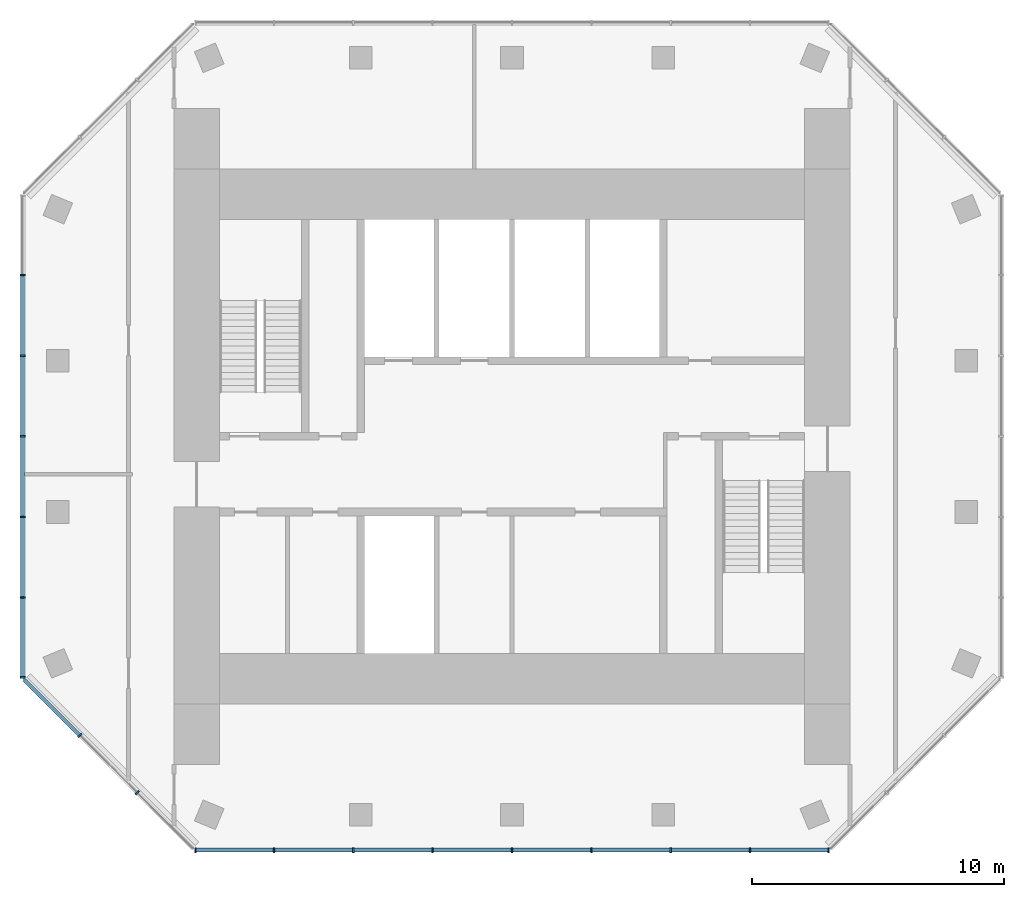
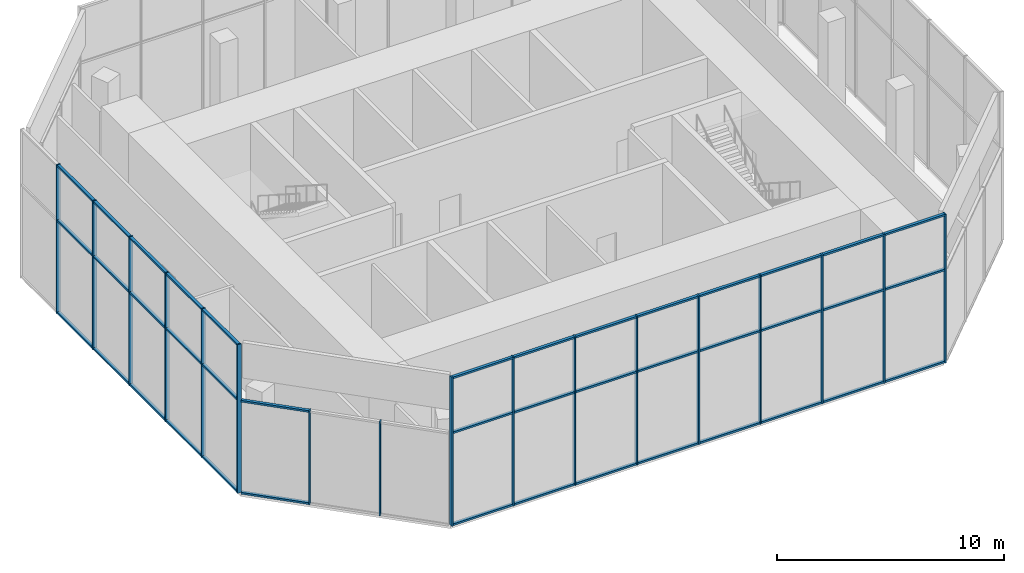
# One storey, part 2 of 9: 58 members, 3 elements without a shape of their own.
"""IFC4 building model written with IfcOpenShell, lengths in metres."""

from ifc_helpers import new_model, si_unit, direction, frame, origin, origin_2d, place, context, subcontext, project, spatial, rectangle, extrude, material, layer, layer_set, material_profile, profile_set, type_object, element, aggregate, save


model = new_model("IFC4")

# Units and contexts
model_context = context("Model", 3, precision=1e-05, world=origin(), true_north=direction((0.0, 1.0)))
body_context = subcontext(model_context, "Body", "Model", "MODEL_VIEW")
ifc_project = project(units=[si_unit("LENGTHUNIT", "METRE"), si_unit("AREAUNIT", "SQUARE_METRE"), si_unit("VOLUMEUNIT", "CUBIC_METRE"), si_unit("PLANEANGLEUNIT", "RADIAN"), si_unit("MASSUNIT", "GRAM", prefix="KILO")], contexts=[model_context])

# Site, building, storey
site_placement = place(None, origin())
site = spatial("IfcSite", under=ifc_project, at=site_placement, CompositionType="ELEMENT")
building_placement = place(site_placement, origin())
building = spatial("IfcBuilding", under=site, at=building_placement, Name="Highveld Stack Headquarters", CompositionType="ELEMENT")
storey_placement = place(building_placement, frame((0.0, 0.0, 300.699951171875)))
storey = spatial("IfcBuildingStorey", under=building, at=storey_placement, Name="L74", CompositionType="ELEMENT", Elevation=300.699951171875)

# Curtain wall, members
ifc_material_1 = material(Name="Aluminium bronze anodised", Category="aluminium")
ifc_layer = layer(ifc_material_1, 0.199951171875)
ifc_layer_set = layer_set([ifc_layer], Name="Aluminium bronze anodised")
curtain_wall_type = type_object("IfcCurtainWallType", Name="CW4 LANTERN CURTAIN WALL", PredefinedType="NOTDEFINED", material=ifc_layer_set)
curtain_wall_1_placement = place(storey_placement, origin())
curtain_wall_1 = element("IfcCurtainWall", 1, at=curtain_wall_1_placement, inside=storey, type_object=curtain_wall_type, Name="Curtain wall CW4 L74 S", PredefinedType="NOTDEFINED")
ifc_material_2 = material(Name="Aluminium bronze anodised", Category="aluminium")
ifc_material_profile_1 = material_profile(ifc_material_2, rectangle(XDim=0.199951171875, YDim=0.06494140625, at=origin_2d()), Name="CW4 MULLION 65x200")
ifc_profile_set_1 = profile_set([ifc_material_profile_1], Name="Aluminium bronze anodised")
member_type_1 = type_object("IfcMemberType", Name="CW4 MULLION 65x200", PredefinedType="MULLION", material=ifc_profile_set_1)
member_1_placement = place(storey_placement, frame((-6.54736328125, -13.39990234375, 0.0), z_axis=(0.0, 0.0, 1.0), x_axis=(0.0, 1.0, 0.0)))
member_1 = element("IfcMember", 2, at=member_1_placement, type_object=member_type_1, Name="CW4 mullion L74 1", PredefinedType="MULLION", context=body_context, shape_type="SweptSolid", body=[
    extrude(rectangle(XDim=0.199951171875, YDim=0.06494140625, at=origin_2d()), origin(), (0.0, 0.0, 1.0), 8.0),
])
member_2_placement = place(storey_placement, frame((-3.434814453125, -13.39990234375, 0.0), z_axis=(0.0, 0.0, 1.0), x_axis=(0.0, 1.0, 0.0)))
member_2 = element("IfcMember", 3, at=member_2_placement, type_object=member_type_1, Name="CW4 mullion L74 2", PredefinedType="MULLION", context=body_context, shape_type="SweptSolid", body=[
    extrude(rectangle(XDim=0.199951171875, YDim=0.06494140625, at=origin_2d()), origin(), (0.0, 0.0, 1.0), 8.0),
])
member_3_placement = place(storey_placement, frame((-0.2900390625, -13.39990234375, 0.0), z_axis=(0.0, 0.0, 1.0), x_axis=(0.0, 1.0, 0.0)))
member_3 = element("IfcMember", 4, at=member_3_placement, type_object=member_type_1, Name="CW4 mullion L74 3", PredefinedType="MULLION", context=body_context, shape_type="SweptSolid", body=[
    extrude(rectangle(XDim=0.199951171875, YDim=0.06494140625, at=origin_2d()), origin(), (0.0, 0.0, 1.0), 8.0),
])
member_4_placement = place(storey_placement, frame((2.85498046875, -13.39990234375, 0.0), z_axis=(0.0, 0.0, 1.0), x_axis=(0.0, 1.0, 0.0)))
member_4 = element("IfcMember", 5, at=member_4_placement, type_object=member_type_1, Name="CW4 mullion L74 4", PredefinedType="MULLION", context=body_context, shape_type="SweptSolid", body=[
    extrude(rectangle(XDim=0.199951171875, YDim=0.06494140625, at=origin_2d()), origin(), (0.0, 0.0, 1.0), 8.0),
])
member_5_placement = place(storey_placement, frame((6.0, -13.39990234375, 0.0), z_axis=(0.0, 0.0, 1.0), x_axis=(0.0, 1.0, 0.0)))
member_5 = element("IfcMember", 6, at=member_5_placement, type_object=member_type_1, Name="CW4 mullion L74 5", PredefinedType="MULLION", context=body_context, shape_type="SweptSolid", body=[
    extrude(rectangle(XDim=0.199951171875, YDim=0.06494140625, at=origin_2d()), origin(), (0.0, 0.0, 1.0), 8.0),
])
member_6_placement = place(storey_placement, frame((9.14501953125, -13.39990234375, 0.0), z_axis=(0.0, 0.0, 1.0), x_axis=(0.0, 1.0, 0.0)))
member_6 = element("IfcMember", 7, at=member_6_placement, type_object=member_type_1, Name="CW4 mullion L74 6", PredefinedType="MULLION", context=body_context, shape_type="SweptSolid", body=[
    extrude(rectangle(XDim=0.199951171875, YDim=0.06494140625, at=origin_2d()), origin(), (0.0, 0.0, 1.0), 8.0),
])
member_7_placement = place(storey_placement, frame((12.289794921875, -13.39990234375, 0.0), z_axis=(0.0, 0.0, 1.0), x_axis=(0.0, 1.0, 0.0)))
member_7 = element("IfcMember", 8, at=member_7_placement, type_object=member_type_1, Name="CW4 mullion L74 7", PredefinedType="MULLION", context=body_context, shape_type="SweptSolid", body=[
    extrude(rectangle(XDim=0.199951171875, YDim=0.06494140625, at=origin_2d()), origin(), (0.0, 0.0, 1.0), 8.0),
])
member_8_placement = place(storey_placement, frame((15.434814453125, -13.39990234375, 0.0), z_axis=(0.0, 0.0, 1.0), x_axis=(0.0, 1.0, 0.0)))
member_8 = element("IfcMember", 9, at=member_8_placement, type_object=member_type_1, Name="CW4 mullion L74 8", PredefinedType="MULLION", context=body_context, shape_type="SweptSolid", body=[
    extrude(rectangle(XDim=0.199951171875, YDim=0.06494140625, at=origin_2d()), origin(), (0.0, 0.0, 1.0), 8.0),
])
member_9_placement = place(storey_placement, frame((18.54736328125, -13.39990234375, 0.0), z_axis=(0.0, 0.0, 1.0), x_axis=(0.0, 1.0, 0.0)))
member_9 = element("IfcMember", 10, at=member_9_placement, type_object=member_type_1, Name="CW4 mullion L74 9", PredefinedType="MULLION", context=body_context, shape_type="SweptSolid", body=[
    extrude(rectangle(XDim=0.199951171875, YDim=0.06494140625, at=origin_2d()), origin(), (0.0, 0.0, 1.0), 8.0),
])

curtain_wall_2_placement = place(storey_placement, origin())
curtain_wall_2 = element("IfcCurtainWall", 11, at=curtain_wall_2_placement, inside=storey, type_object=curtain_wall_type, Name="Curtain wall CW4 L74 W", PredefinedType="NOTDEFINED")
member_10_placement = place(storey_placement, frame((-13.39990234375, 9.38671875, 0.0), z_axis=(0.0, 0.0, 1.0), x_axis=(1.0, 0.0, 0.0)))
member_10 = element("IfcMember", 12, at=member_10_placement, type_object=member_type_1, Name="CW4 mullion L74 2", PredefinedType="MULLION", context=body_context, shape_type="SweptSolid", body=[
    extrude(rectangle(XDim=0.199951171875, YDim=0.06494140625, at=origin_2d()), origin(), (0.0, 0.0, 1.0), 8.0),
])
member_11_placement = place(storey_placement, frame((-13.39990234375, 6.193359375, 0.0), z_axis=(0.0, 0.0, 1.0), x_axis=(1.0, 0.0, 0.0)))
member_11 = element("IfcMember", 13, at=member_11_placement, type_object=member_type_1, Name="CW4 mullion L74 3", PredefinedType="MULLION", context=body_context, shape_type="SweptSolid", body=[
    extrude(rectangle(XDim=0.199951171875, YDim=0.06494140625, at=origin_2d()), origin(), (0.0, 0.0, 1.0), 8.0),
])
member_12_placement = place(storey_placement, frame((-13.39990234375, 3.0, 0.0), z_axis=(0.0, 0.0, 1.0), x_axis=(1.0, 0.0, 0.0)))
member_12 = element("IfcMember", 14, at=member_12_placement, type_object=member_type_1, Name="CW4 mullion L74 4", PredefinedType="MULLION", context=body_context, shape_type="SweptSolid", body=[
    extrude(rectangle(XDim=0.199951171875, YDim=0.06494140625, at=origin_2d()), origin(), (0.0, 0.0, 1.0), 8.0),
])
member_13_placement = place(storey_placement, frame((-13.39990234375, -0.193359375, 0.0), z_axis=(0.0, 0.0, 1.0), x_axis=(1.0, 0.0, 0.0)))
member_13 = element("IfcMember", 15, at=member_13_placement, type_object=member_type_1, Name="CW4 mullion L74 5", PredefinedType="MULLION", context=body_context, shape_type="SweptSolid", body=[
    extrude(rectangle(XDim=0.199951171875, YDim=0.06494140625, at=origin_2d()), origin(), (0.0, 0.0, 1.0), 8.0),
])
member_14_placement = place(storey_placement, frame((-13.39990234375, -3.38671875, 0.0), z_axis=(0.0, 0.0, 1.0), x_axis=(1.0, 0.0, 0.0)))
member_14 = element("IfcMember", 16, at=member_14_placement, type_object=member_type_1, Name="CW4 mullion L74 6", PredefinedType="MULLION", context=body_context, shape_type="SweptSolid", body=[
    extrude(rectangle(XDim=0.199951171875, YDim=0.06494140625, at=origin_2d()), origin(), (0.0, 0.0, 1.0), 8.0),
])
member_15_placement = place(storey_placement, frame((-13.39990234375, -6.54736328125, 0.0), z_axis=(0.0, 0.0, 1.0), x_axis=(1.0, 0.0, 0.0)))
member_15 = element("IfcMember", 17, at=member_15_placement, type_object=member_type_1, Name="CW4 mullion L74 7", PredefinedType="MULLION", context=body_context, shape_type="SweptSolid", body=[
    extrude(rectangle(XDim=0.199951171875, YDim=0.06494140625, at=origin_2d()), origin(), (0.0, 0.0, 1.0), 8.0),
])

curtain_wall_3_placement = place(storey_placement, origin())
curtain_wall_3 = element("IfcCurtainWall", 18, at=curtain_wall_3_placement, inside=storey, type_object=curtain_wall_type, Name="Curtain wall CW4 L74 SW", PredefinedType="NOTDEFINED")
member_16_placement = place(storey_placement, frame((-11.126708984375, -8.853271484375, 0.0), z_axis=(0.0, 0.0, 1.0), x_axis=(0.707106781187, 0.707106781187, 0.0)))
member_16 = element("IfcMember", 19, at=member_16_placement, type_object=member_type_1, Name="CW4 mullion L74 1", PredefinedType="MULLION", context=body_context, shape_type="SweptSolid", body=[
    extrude(rectangle(XDim=0.199951171875, YDim=0.06494140625, at=origin_2d()), origin(), (0.0, 0.0, 1.0), 5.050048828125),
])
member_17_placement = place(storey_placement, frame((-8.853271484375, -11.126708984375, 0.0), z_axis=(0.0, 0.0, 1.0), x_axis=(0.707106781187, 0.707106781187, 0.0)))
member_17 = element("IfcMember", 20, at=member_17_placement, type_object=member_type_1, Name="CW4 mullion L74 2", PredefinedType="MULLION", context=body_context, shape_type="SweptSolid", body=[
    extrude(rectangle(XDim=0.199951171875, YDim=0.06494140625, at=origin_2d()), origin(), (0.0, 0.0, 1.0), 5.050048828125),
])

# Member
ifc_material_3 = material(Name="Aluminium bronze anodised", Category="aluminium")
ifc_material_profile_2 = material_profile(ifc_material_3, rectangle(XDim=0.14990234375, YDim=0.10009765625, at=origin_2d()), Name="CW4 TRANSOM 150x100")
ifc_profile_set_2 = profile_set([ifc_material_profile_2], Name="Aluminium bronze anodised")
member_type_2 = type_object("IfcMemberType", Name="CW4 STACK TRANSOM 150x100", PredefinedType="USERDEFINED", material=ifc_profile_set_2)
member_18_placement = place(storey_placement, frame((-6.514892578125, -13.39990234375, 0.050048828125), z_axis=(1.0, 0.0, 0.0), x_axis=(0.0, 1.0, 0.0)))
member_18 = element("IfcMember", 21, at=member_18_placement, type_object=member_type_2, Name="CW4 transom L74 1.1", ObjectType="TRANSOM", PredefinedType="USERDEFINED", context=body_context, shape_type="SweptSolid", body=[
    extrude(rectangle(XDim=0.14990234375, YDim=0.10009765625, at=origin_2d()), origin(), (0.0, 0.0, 1.0), 3.047607421875),
])

member_19_placement = place(storey_placement, frame((-6.514892578125, -13.39990234375, 5.0), z_axis=(1.0, 0.0, 0.0), x_axis=(0.0, 1.0, 0.0)))
member_19 = element("IfcMember", 22, at=member_19_placement, type_object=member_type_2, Name="CW4 transom L74 1.2", ObjectType="TRANSOM", PredefinedType="USERDEFINED", context=body_context, shape_type="SweptSolid", body=[
    extrude(rectangle(XDim=0.14990234375, YDim=0.10009765625, at=origin_2d()), origin(), (0.0, 0.0, 1.0), 3.047607421875),
])

member_20_placement = place(storey_placement, frame((-6.514892578125, -13.39990234375, 7.949951171875), z_axis=(1.0, 0.0, 0.0), x_axis=(0.0, 1.0, 0.0)))
member_20 = element("IfcMember", 23, at=member_20_placement, type_object=member_type_2, Name="CW4 transom L74 1.3", ObjectType="TRANSOM", PredefinedType="USERDEFINED", context=body_context, shape_type="SweptSolid", body=[
    extrude(rectangle(XDim=0.14990234375, YDim=0.10009765625, at=origin_2d()), origin(), (0.0, 0.0, 1.0), 3.047607421875),
])

member_21_placement = place(storey_placement, frame((-3.40234375, -13.39990234375, 0.050048828125), z_axis=(1.0, 0.0, 0.0), x_axis=(0.0, 1.0, 0.0)))
member_21 = element("IfcMember", 24, at=member_21_placement, type_object=member_type_2, Name="CW4 transom L74 2.1", ObjectType="TRANSOM", PredefinedType="USERDEFINED", context=body_context, shape_type="SweptSolid", body=[
    extrude(rectangle(XDim=0.14990234375, YDim=0.10009765625, at=origin_2d()), origin(), (0.0, 0.0, 1.0), 3.079833984375),
])

member_22_placement = place(storey_placement, frame((-3.40234375, -13.39990234375, 5.0), z_axis=(1.0, 0.0, 0.0), x_axis=(0.0, 1.0, 0.0)))
member_22 = element("IfcMember", 25, at=member_22_placement, type_object=member_type_2, Name="CW4 transom L74 2.2", ObjectType="TRANSOM", PredefinedType="USERDEFINED", context=body_context, shape_type="SweptSolid", body=[
    extrude(rectangle(XDim=0.14990234375, YDim=0.10009765625, at=origin_2d()), origin(), (0.0, 0.0, 1.0), 3.079833984375),
])

member_23_placement = place(storey_placement, frame((-3.40234375, -13.39990234375, 7.949951171875), z_axis=(1.0, 0.0, 0.0), x_axis=(0.0, 1.0, 0.0)))
member_23 = element("IfcMember", 26, at=member_23_placement, type_object=member_type_2, Name="CW4 transom L74 2.3", ObjectType="TRANSOM", PredefinedType="USERDEFINED", context=body_context, shape_type="SweptSolid", body=[
    extrude(rectangle(XDim=0.14990234375, YDim=0.10009765625, at=origin_2d()), origin(), (0.0, 0.0, 1.0), 3.079833984375),
])

member_24_placement = place(storey_placement, frame((-0.257568359375, -13.39990234375, 0.050048828125), z_axis=(1.0, 0.0, 0.0), x_axis=(0.0, 1.0, 0.0)))
member_24 = element("IfcMember", 27, at=member_24_placement, type_object=member_type_2, Name="CW4 transom L74 3.1", ObjectType="TRANSOM", PredefinedType="USERDEFINED", context=body_context, shape_type="SweptSolid", body=[
    extrude(rectangle(XDim=0.14990234375, YDim=0.10009765625, at=origin_2d()), origin(), (0.0, 0.0, 1.0), 3.080078125),
])

member_25_placement = place(storey_placement, frame((-0.257568359375, -13.39990234375, 5.0), z_axis=(1.0, 0.0, 0.0), x_axis=(0.0, 1.0, 0.0)))
member_25 = element("IfcMember", 28, at=member_25_placement, type_object=member_type_2, Name="CW4 transom L74 3.2", ObjectType="TRANSOM", PredefinedType="USERDEFINED", context=body_context, shape_type="SweptSolid", body=[
    extrude(rectangle(XDim=0.14990234375, YDim=0.10009765625, at=origin_2d()), origin(), (0.0, 0.0, 1.0), 3.080078125),
])

member_26_placement = place(storey_placement, frame((-0.257568359375, -13.39990234375, 7.949951171875), z_axis=(1.0, 0.0, 0.0), x_axis=(0.0, 1.0, 0.0)))
member_26 = element("IfcMember", 29, at=member_26_placement, type_object=member_type_2, Name="CW4 transom L74 3.3", ObjectType="TRANSOM", PredefinedType="USERDEFINED", context=body_context, shape_type="SweptSolid", body=[
    extrude(rectangle(XDim=0.14990234375, YDim=0.10009765625, at=origin_2d()), origin(), (0.0, 0.0, 1.0), 3.080078125),
])

member_27_placement = place(storey_placement, frame((2.887451171875, -13.39990234375, 0.050048828125), z_axis=(1.0, 0.0, 0.0), x_axis=(0.0, 1.0, 0.0)))
member_27 = element("IfcMember", 30, at=member_27_placement, type_object=member_type_2, Name="CW4 transom L74 4.1", ObjectType="TRANSOM", PredefinedType="USERDEFINED", context=body_context, shape_type="SweptSolid", body=[
    extrude(rectangle(XDim=0.14990234375, YDim=0.10009765625, at=origin_2d()), origin(), (0.0, 0.0, 1.0), 3.080078125),
])

member_28_placement = place(storey_placement, frame((2.887451171875, -13.39990234375, 5.0), z_axis=(1.0, 0.0, 0.0), x_axis=(0.0, 1.0, 0.0)))
member_28 = element("IfcMember", 31, at=member_28_placement, type_object=member_type_2, Name="CW4 transom L74 4.2", ObjectType="TRANSOM", PredefinedType="USERDEFINED", context=body_context, shape_type="SweptSolid", body=[
    extrude(rectangle(XDim=0.14990234375, YDim=0.10009765625, at=origin_2d()), origin(), (0.0, 0.0, 1.0), 3.080078125),
])

member_29_placement = place(storey_placement, frame((2.887451171875, -13.39990234375, 7.949951171875), z_axis=(1.0, 0.0, 0.0), x_axis=(0.0, 1.0, 0.0)))
member_29 = element("IfcMember", 32, at=member_29_placement, type_object=member_type_2, Name="CW4 transom L74 4.3", ObjectType="TRANSOM", PredefinedType="USERDEFINED", context=body_context, shape_type="SweptSolid", body=[
    extrude(rectangle(XDim=0.14990234375, YDim=0.10009765625, at=origin_2d()), origin(), (0.0, 0.0, 1.0), 3.080078125),
])

member_30_placement = place(storey_placement, frame((6.032470703125, -13.39990234375, 0.050048828125), z_axis=(1.0, 0.0, 0.0), x_axis=(0.0, 1.0, 0.0)))
member_30 = element("IfcMember", 33, at=member_30_placement, type_object=member_type_2, Name="CW4 transom L74 5.1", ObjectType="TRANSOM", PredefinedType="USERDEFINED", context=body_context, shape_type="SweptSolid", body=[
    extrude(rectangle(XDim=0.14990234375, YDim=0.10009765625, at=origin_2d()), origin(), (0.0, 0.0, 1.0), 3.080078125),
])

member_31_placement = place(storey_placement, frame((6.032470703125, -13.39990234375, 5.0), z_axis=(1.0, 0.0, 0.0), x_axis=(0.0, 1.0, 0.0)))
member_31 = element("IfcMember", 34, at=member_31_placement, type_object=member_type_2, Name="CW4 transom L74 5.2", ObjectType="TRANSOM", PredefinedType="USERDEFINED", context=body_context, shape_type="SweptSolid", body=[
    extrude(rectangle(XDim=0.14990234375, YDim=0.10009765625, at=origin_2d()), origin(), (0.0, 0.0, 1.0), 3.080078125),
])

member_32_placement = place(storey_placement, frame((6.032470703125, -13.39990234375, 7.949951171875), z_axis=(1.0, 0.0, 0.0), x_axis=(0.0, 1.0, 0.0)))
member_32 = element("IfcMember", 35, at=member_32_placement, type_object=member_type_2, Name="CW4 transom L74 5.3", ObjectType="TRANSOM", PredefinedType="USERDEFINED", context=body_context, shape_type="SweptSolid", body=[
    extrude(rectangle(XDim=0.14990234375, YDim=0.10009765625, at=origin_2d()), origin(), (0.0, 0.0, 1.0), 3.080078125),
])

member_33_placement = place(storey_placement, frame((9.177490234375, -13.39990234375, 0.050048828125), z_axis=(1.0, 0.0, 0.0), x_axis=(0.0, 1.0, 0.0)))
member_33 = element("IfcMember", 36, at=member_33_placement, type_object=member_type_2, Name="CW4 transom L74 6.1", ObjectType="TRANSOM", PredefinedType="USERDEFINED", context=body_context, shape_type="SweptSolid", body=[
    extrude(rectangle(XDim=0.14990234375, YDim=0.10009765625, at=origin_2d()), origin(), (0.0, 0.0, 1.0), 3.080078125),
])

member_34_placement = place(storey_placement, frame((9.177490234375, -13.39990234375, 5.0), z_axis=(1.0, 0.0, 0.0), x_axis=(0.0, 1.0, 0.0)))
member_34 = element("IfcMember", 37, at=member_34_placement, type_object=member_type_2, Name="CW4 transom L74 6.2", ObjectType="TRANSOM", PredefinedType="USERDEFINED", context=body_context, shape_type="SweptSolid", body=[
    extrude(rectangle(XDim=0.14990234375, YDim=0.10009765625, at=origin_2d()), origin(), (0.0, 0.0, 1.0), 3.080078125),
])

member_35_placement = place(storey_placement, frame((9.177490234375, -13.39990234375, 7.949951171875), z_axis=(1.0, 0.0, 0.0), x_axis=(0.0, 1.0, 0.0)))
member_35 = element("IfcMember", 38, at=member_35_placement, type_object=member_type_2, Name="CW4 transom L74 6.3", ObjectType="TRANSOM", PredefinedType="USERDEFINED", context=body_context, shape_type="SweptSolid", body=[
    extrude(rectangle(XDim=0.14990234375, YDim=0.10009765625, at=origin_2d()), origin(), (0.0, 0.0, 1.0), 3.080078125),
])

member_36_placement = place(storey_placement, frame((12.322509765625, -13.39990234375, 0.050048828125), z_axis=(1.0, 0.0, 0.0), x_axis=(0.0, 1.0, 0.0)))
member_36 = element("IfcMember", 39, at=member_36_placement, type_object=member_type_2, Name="CW4 transom L74 7.1", ObjectType="TRANSOM", PredefinedType="USERDEFINED", context=body_context, shape_type="SweptSolid", body=[
    extrude(rectangle(XDim=0.14990234375, YDim=0.10009765625, at=origin_2d()), origin(), (0.0, 0.0, 1.0), 3.079833984375),
])

member_37_placement = place(storey_placement, frame((12.322509765625, -13.39990234375, 5.0), z_axis=(1.0, 0.0, 0.0), x_axis=(0.0, 1.0, 0.0)))
member_37 = element("IfcMember", 40, at=member_37_placement, type_object=member_type_2, Name="CW4 transom L74 7.2", ObjectType="TRANSOM", PredefinedType="USERDEFINED", context=body_context, shape_type="SweptSolid", body=[
    extrude(rectangle(XDim=0.14990234375, YDim=0.10009765625, at=origin_2d()), origin(), (0.0, 0.0, 1.0), 3.079833984375),
])

member_38_placement = place(storey_placement, frame((12.322509765625, -13.39990234375, 7.949951171875), z_axis=(1.0, 0.0, 0.0), x_axis=(0.0, 1.0, 0.0)))
member_38 = element("IfcMember", 41, at=member_38_placement, type_object=member_type_2, Name="CW4 transom L74 7.3", ObjectType="TRANSOM", PredefinedType="USERDEFINED", context=body_context, shape_type="SweptSolid", body=[
    extrude(rectangle(XDim=0.14990234375, YDim=0.10009765625, at=origin_2d()), origin(), (0.0, 0.0, 1.0), 3.079833984375),
])

member_39_placement = place(storey_placement, frame((15.46728515625, -13.39990234375, 0.050048828125), z_axis=(1.0, 0.0, 0.0), x_axis=(0.0, 1.0, 0.0)))
member_39 = element("IfcMember", 42, at=member_39_placement, type_object=member_type_2, Name="CW4 transom L74 8.1", ObjectType="TRANSOM", PredefinedType="USERDEFINED", context=body_context, shape_type="SweptSolid", body=[
    extrude(rectangle(XDim=0.14990234375, YDim=0.10009765625, at=origin_2d()), origin(), (0.0, 0.0, 1.0), 3.047607421875),
])

member_40_placement = place(storey_placement, frame((15.46728515625, -13.39990234375, 5.0), z_axis=(1.0, 0.0, 0.0), x_axis=(0.0, 1.0, 0.0)))
member_40 = element("IfcMember", 43, at=member_40_placement, type_object=member_type_2, Name="CW4 transom L74 8.2", ObjectType="TRANSOM", PredefinedType="USERDEFINED", context=body_context, shape_type="SweptSolid", body=[
    extrude(rectangle(XDim=0.14990234375, YDim=0.10009765625, at=origin_2d()), origin(), (0.0, 0.0, 1.0), 3.047607421875),
])

member_41_placement = place(storey_placement, frame((15.46728515625, -13.39990234375, 7.949951171875), z_axis=(1.0, 0.0, 0.0), x_axis=(0.0, 1.0, 0.0)))
member_41 = element("IfcMember", 44, at=member_41_placement, type_object=member_type_2, Name="CW4 transom L74 8.3", ObjectType="TRANSOM", PredefinedType="USERDEFINED", context=body_context, shape_type="SweptSolid", body=[
    extrude(rectangle(XDim=0.14990234375, YDim=0.10009765625, at=origin_2d()), origin(), (0.0, 0.0, 1.0), 3.047607421875),
])

aggregate(curtain_wall_1, [member_1, member_2, member_3, member_4, member_5, member_6, member_7, member_8, member_9, member_18, member_19, member_20, member_21, member_22, member_23, member_24, member_25, member_26, member_27, member_28, member_29, member_30, member_31, member_32, member_33, member_34, member_35, member_36, member_37, member_38, member_39, member_40, member_41])

member_42_placement = place(storey_placement, frame((-13.39990234375, 9.35400390625, 0.050048828125), z_axis=(0.0, -1.0, 0.0), x_axis=(1.0, 0.0, 0.0)))
member_42 = element("IfcMember", 45, at=member_42_placement, type_object=member_type_2, Name="CW4 transom L74 2.1", ObjectType="TRANSOM", PredefinedType="USERDEFINED", context=body_context, shape_type="SweptSolid", body=[
    extrude(rectangle(XDim=0.14990234375, YDim=0.10009765625, at=origin_2d()), origin(), (0.0, 0.0, 1.0), 3.128173828125),
])

member_43_placement = place(storey_placement, frame((-13.39990234375, 9.35400390625, 5.0), z_axis=(0.0, -1.0, 0.0), x_axis=(1.0, 0.0, 0.0)))
member_43 = element("IfcMember", 46, at=member_43_placement, type_object=member_type_2, Name="CW4 transom L74 2.2", ObjectType="TRANSOM", PredefinedType="USERDEFINED", context=body_context, shape_type="SweptSolid", body=[
    extrude(rectangle(XDim=0.14990234375, YDim=0.10009765625, at=origin_2d()), origin(), (0.0, 0.0, 1.0), 3.128173828125),
])

member_44_placement = place(storey_placement, frame((-13.39990234375, 9.35400390625, 7.949951171875), z_axis=(0.0, -1.0, 0.0), x_axis=(1.0, 0.0, 0.0)))
member_44 = element("IfcMember", 47, at=member_44_placement, type_object=member_type_2, Name="CW4 transom L74 2.3", ObjectType="TRANSOM", PredefinedType="USERDEFINED", context=body_context, shape_type="SweptSolid", body=[
    extrude(rectangle(XDim=0.14990234375, YDim=0.10009765625, at=origin_2d()), origin(), (0.0, 0.0, 1.0), 3.128173828125),
])

member_45_placement = place(storey_placement, frame((-13.39990234375, 6.160888671875, 0.050048828125), z_axis=(0.0, -1.0, 0.0), x_axis=(1.0, 0.0, 0.0)))
member_45 = element("IfcMember", 48, at=member_45_placement, type_object=member_type_2, Name="CW4 transom L74 3.1", ObjectType="TRANSOM", PredefinedType="USERDEFINED", context=body_context, shape_type="SweptSolid", body=[
    extrude(rectangle(XDim=0.14990234375, YDim=0.10009765625, at=origin_2d()), origin(), (0.0, 0.0, 1.0), 3.12841796875),
])

member_46_placement = place(storey_placement, frame((-13.39990234375, 6.160888671875, 5.0), z_axis=(0.0, -1.0, 0.0), x_axis=(1.0, 0.0, 0.0)))
member_46 = element("IfcMember", 49, at=member_46_placement, type_object=member_type_2, Name="CW4 transom L74 3.2", ObjectType="TRANSOM", PredefinedType="USERDEFINED", context=body_context, shape_type="SweptSolid", body=[
    extrude(rectangle(XDim=0.14990234375, YDim=0.10009765625, at=origin_2d()), origin(), (0.0, 0.0, 1.0), 3.12841796875),
])

member_47_placement = place(storey_placement, frame((-13.39990234375, 6.160888671875, 7.949951171875), z_axis=(0.0, -1.0, 0.0), x_axis=(1.0, 0.0, 0.0)))
member_47 = element("IfcMember", 50, at=member_47_placement, type_object=member_type_2, Name="CW4 transom L74 3.3", ObjectType="TRANSOM", PredefinedType="USERDEFINED", context=body_context, shape_type="SweptSolid", body=[
    extrude(rectangle(XDim=0.14990234375, YDim=0.10009765625, at=origin_2d()), origin(), (0.0, 0.0, 1.0), 3.12841796875),
])

member_48_placement = place(storey_placement, frame((-13.39990234375, 2.967529296875, 0.050048828125), z_axis=(0.0, -1.0, 0.0), x_axis=(1.0, 0.0, 0.0)))
member_48 = element("IfcMember", 51, at=member_48_placement, type_object=member_type_2, Name="CW4 transom L74 4.1", ObjectType="TRANSOM", PredefinedType="USERDEFINED", context=body_context, shape_type="SweptSolid", body=[
    extrude(rectangle(XDim=0.14990234375, YDim=0.10009765625, at=origin_2d()), origin(), (0.0, 0.0, 1.0), 3.12841796875),
])

member_49_placement = place(storey_placement, frame((-13.39990234375, 2.967529296875, 5.0), z_axis=(0.0, -1.0, 0.0), x_axis=(1.0, 0.0, 0.0)))
member_49 = element("IfcMember", 52, at=member_49_placement, type_object=member_type_2, Name="CW4 transom L74 4.2", ObjectType="TRANSOM", PredefinedType="USERDEFINED", context=body_context, shape_type="SweptSolid", body=[
    extrude(rectangle(XDim=0.14990234375, YDim=0.10009765625, at=origin_2d()), origin(), (0.0, 0.0, 1.0), 3.12841796875),
])

member_50_placement = place(storey_placement, frame((-13.39990234375, 2.967529296875, 7.949951171875), z_axis=(0.0, -1.0, 0.0), x_axis=(1.0, 0.0, 0.0)))
member_50 = element("IfcMember", 53, at=member_50_placement, type_object=member_type_2, Name="CW4 transom L74 4.3", ObjectType="TRANSOM", PredefinedType="USERDEFINED", context=body_context, shape_type="SweptSolid", body=[
    extrude(rectangle(XDim=0.14990234375, YDim=0.10009765625, at=origin_2d()), origin(), (0.0, 0.0, 1.0), 3.12841796875),
])

member_51_placement = place(storey_placement, frame((-13.39990234375, -0.225830078125, 0.050048828125), z_axis=(0.0, -1.0, 0.0), x_axis=(1.0, 0.0, 0.0)))
member_51 = element("IfcMember", 54, at=member_51_placement, type_object=member_type_2, Name="CW4 transom L74 5.1", ObjectType="TRANSOM", PredefinedType="USERDEFINED", context=body_context, shape_type="SweptSolid", body=[
    extrude(rectangle(XDim=0.14990234375, YDim=0.10009765625, at=origin_2d()), origin(), (0.0, 0.0, 1.0), 3.128173828125),
])

member_52_placement = place(storey_placement, frame((-13.39990234375, -0.225830078125, 5.0), z_axis=(0.0, -1.0, 0.0), x_axis=(1.0, 0.0, 0.0)))
member_52 = element("IfcMember", 55, at=member_52_placement, type_object=member_type_2, Name="CW4 transom L74 5.2", ObjectType="TRANSOM", PredefinedType="USERDEFINED", context=body_context, shape_type="SweptSolid", body=[
    extrude(rectangle(XDim=0.14990234375, YDim=0.10009765625, at=origin_2d()), origin(), (0.0, 0.0, 1.0), 3.128173828125),
])

member_53_placement = place(storey_placement, frame((-13.39990234375, -0.225830078125, 7.949951171875), z_axis=(0.0, -1.0, 0.0), x_axis=(1.0, 0.0, 0.0)))
member_53 = element("IfcMember", 56, at=member_53_placement, type_object=member_type_2, Name="CW4 transom L74 5.3", ObjectType="TRANSOM", PredefinedType="USERDEFINED", context=body_context, shape_type="SweptSolid", body=[
    extrude(rectangle(XDim=0.14990234375, YDim=0.10009765625, at=origin_2d()), origin(), (0.0, 0.0, 1.0), 3.128173828125),
])

member_54_placement = place(storey_placement, frame((-13.39990234375, -3.419189453125, 0.050048828125), z_axis=(0.0, -1.0, 0.0), x_axis=(1.0, 0.0, 0.0)))
member_54 = element("IfcMember", 57, at=member_54_placement, type_object=member_type_2, Name="CW4 transom L74 6.1", ObjectType="TRANSOM", PredefinedType="USERDEFINED", context=body_context, shape_type="SweptSolid", body=[
    extrude(rectangle(XDim=0.14990234375, YDim=0.10009765625, at=origin_2d()), origin(), (0.0, 0.0, 1.0), 3.095703125),
])

member_55_placement = place(storey_placement, frame((-13.39990234375, -3.419189453125, 5.0), z_axis=(0.0, -1.0, 0.0), x_axis=(1.0, 0.0, 0.0)))
member_55 = element("IfcMember", 58, at=member_55_placement, type_object=member_type_2, Name="CW4 transom L74 6.2", ObjectType="TRANSOM", PredefinedType="USERDEFINED", context=body_context, shape_type="SweptSolid", body=[
    extrude(rectangle(XDim=0.14990234375, YDim=0.10009765625, at=origin_2d()), origin(), (0.0, 0.0, 1.0), 3.095703125),
])

member_56_placement = place(storey_placement, frame((-13.39990234375, -3.419189453125, 7.949951171875), z_axis=(0.0, -1.0, 0.0), x_axis=(1.0, 0.0, 0.0)))
member_56 = element("IfcMember", 59, at=member_56_placement, type_object=member_type_2, Name="CW4 transom L74 6.3", ObjectType="TRANSOM", PredefinedType="USERDEFINED", context=body_context, shape_type="SweptSolid", body=[
    extrude(rectangle(XDim=0.14990234375, YDim=0.10009765625, at=origin_2d()), origin(), (0.0, 0.0, 1.0), 3.095703125),
])

aggregate(curtain_wall_2, [member_10, member_11, member_12, member_13, member_14, member_15, member_42, member_43, member_44, member_45, member_46, member_47, member_48, member_49, member_50, member_51, member_52, member_53, member_54, member_55, member_56])

member_57_placement = place(storey_placement, frame((-13.329345703125, -6.650634765625, 0.050048828125), z_axis=(0.707106781187, -0.707106781187, 0.0), x_axis=(0.707106781187, 0.707106781187, 0.0)))
member_57 = element("IfcMember", 60, at=member_57_placement, type_object=member_type_2, Name="CW4 transom L74 1.1", ObjectType="TRANSOM", PredefinedType="USERDEFINED", context=body_context, shape_type="SweptSolid", body=[
    extrude(rectangle(XDim=0.14990234375, YDim=0.10009765625, at=origin_2d()), origin(), (0.0, 0.0, 1.0), 3.08251953125),
])

member_58_placement = place(storey_placement, frame((-13.329345703125, -6.650634765625, 5.0), z_axis=(0.707106781187, -0.707106781187, 0.0), x_axis=(0.707106781187, 0.707106781187, 0.0)))
member_58 = element("IfcMember", 61, at=member_58_placement, type_object=member_type_2, Name="CW4 transom L74 1.2", ObjectType="TRANSOM", PredefinedType="USERDEFINED", context=body_context, shape_type="SweptSolid", body=[
    extrude(rectangle(XDim=0.14990234375, YDim=0.10009765625, at=origin_2d()), origin(), (0.0, 0.0, 1.0), 3.08251953125),
])

aggregate(curtain_wall_3, [member_16, member_17, member_57, member_58])

save(model, "model.ifc")
